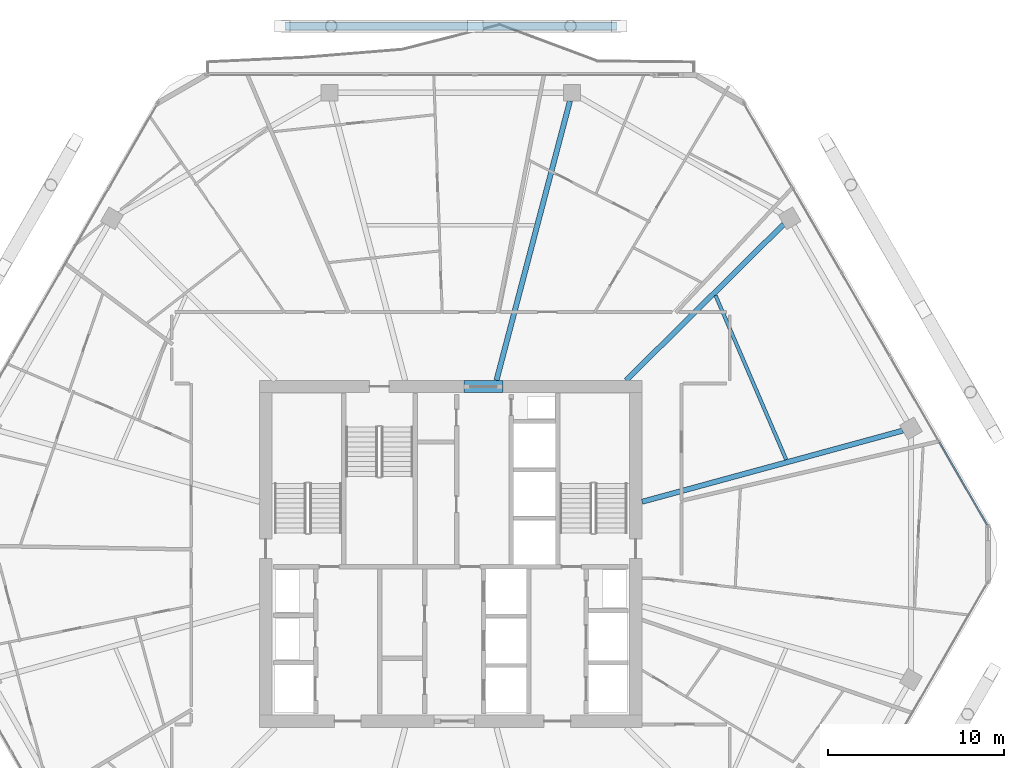
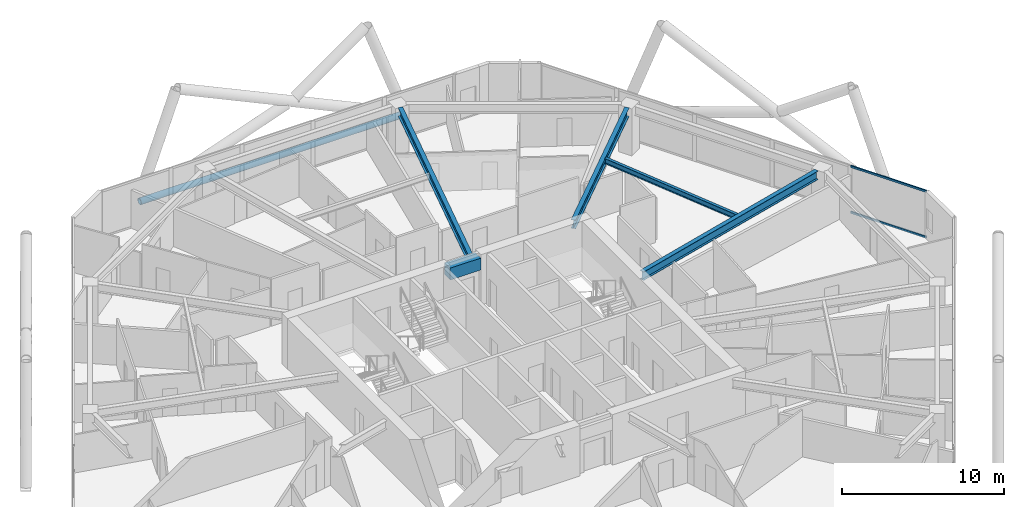
# One storey, part 15 of 28: 5 beams, 3 members, 1 element without a shape of its own.
"""IFC4 building model written with IfcOpenShell, lengths in metres."""

from ifc_helpers import new_model, si_unit, direction, frame, origin, origin_2d, place, context, subcontext, project, spatial, rectangle, hollow_rectangle, hollow_circle, i_section, extrude, material, material_profile, profile_set, type_object, element, aggregate, save


model = new_model("IFC4")

# Units and contexts
model_context = context("Model", 3, precision=1e-05, world=origin(), true_north=direction((0.0, 1.0)))
body_context = subcontext(model_context, "Body", "Model", "MODEL_VIEW")
ifc_project = project(units=[si_unit("LENGTHUNIT", "METRE"), si_unit("AREAUNIT", "SQUARE_METRE"), si_unit("VOLUMEUNIT", "CUBIC_METRE"), si_unit("PLANEANGLEUNIT", "RADIAN"), si_unit("MASSUNIT", "GRAM", prefix="KILO")], contexts=[model_context])

# Site, building, storey
site_placement = place(None, origin())
site = spatial("IfcSite", under=ifc_project, at=site_placement, CompositionType="ELEMENT")
building_placement = place(site_placement, origin())
building = spatial("IfcBuilding", under=site, at=building_placement, Name="Zuhravey Tower", CompositionType="ELEMENT")
storey_placement = place(building_placement, frame((0.0, 0.0, 207.39990234375)))
storey = spatial("IfcBuildingStorey", under=building, at=storey_placement, Name="L52", CompositionType="ELEMENT", Elevation=207.39990234375)

# Beam
ifc_material_1 = material(Name="Concrete C60/75", Category="concrete")
ifc_material_profile_1 = material_profile(ifc_material_1, rectangle(XDim=0.699951171875, YDim=0.89990234375, at=origin_2d()), Name="RC-700x900")
ifc_profile_set_1 = profile_set([ifc_material_profile_1], Name="Concrete C60/75")
beam_type_1 = type_object("IfcBeamType", Name="Core Coupling Beam RC700x900", PredefinedType="LINTEL", material=ifc_profile_set_1)
beam_1_placement = place(storey_placement, frame((36.751953125, 41.5, 3.10009765625), z_axis=(1.0, 0.0, 0.0), x_axis=(0.0, 1.0, 0.0)))
element("IfcBeam", 1, at=beam_1_placement, inside=storey, type_object=beam_type_1, Name="L52 CB1 BM-L52-CB-N", PredefinedType="LINTEL", context=body_context, shape_type="SweptSolid", body=[
    extrude(rectangle(XDim=0.699951171875, YDim=0.89990234375, at=origin_2d()), origin(), (0.0, 0.0, 1.0), 2.196044921875),
])

# Curtain wall, members
ifc_material_2 = material(Name="Thermally broken anodised aluminium", Category="aluminium")
curtain_wall_type = type_object("IfcCurtainWallType", Name="Zone 1-2 Residential Curtain Wall CW3", PredefinedType="NOTDEFINED", material=ifc_material_2)
curtain_wall_placement = place(storey_placement, origin())
curtain_wall = element("IfcCurtainWall", 2, at=curtain_wall_placement, inside=storey, type_object=curtain_wall_type, Name="L52 CW3 CW-L52-F1-1", PredefinedType="NOTDEFINED")
ifc_material_3 = material(Name="Anodised aluminium", Category="aluminium")
ifc_material_profile_2 = material_profile(ifc_material_3, hollow_rectangle(XDim=0.090087890625, YDim=0.14990234375, WallThickness=0.0048828125, at=origin_2d()), Name="ALU-RHS-90x150x5")
ifc_profile_set_2 = profile_set([ifc_material_profile_2], Name="Anodised aluminium")
member_type_1 = type_object("IfcMemberType", Name="Curtain-Wall Transom 90x150", PredefinedType="USERDEFINED", material=ifc_profile_set_2)
member_1_placement = place(storey_placement, frame((63.72216796875, 38.35009765625, 0.045166015625), z_axis=(0.499993332629, -0.866029253159, 0.0), x_axis=(0.866029253159, 0.499993332629, 0.0)))
member_1 = element("IfcMember", 3, at=member_1_placement, type_object=member_type_1, Name="CW3 transom 5.1", ObjectType="TRANSOM", PredefinedType="USERDEFINED", context=body_context, shape_type="SweptSolid", body=[
    extrude(hollow_rectangle(XDim=0.090087890625, YDim=0.14990234375, WallThickness=0.0048828125, at=origin_2d()), origin(), (0.0, 0.0, 1.0), 5.4091796875),
])
member_2_placement = place(storey_placement, frame((63.72216796875, 38.35009765625, 3.505126953125), z_axis=(0.499993332629, -0.866029253159, 0.0), x_axis=(0.866029253159, 0.499993332629, 0.0)))
member_2 = element("IfcMember", 4, at=member_2_placement, type_object=member_type_1, Name="CW3 transom 5.2", ObjectType="TRANSOM", PredefinedType="USERDEFINED", context=body_context, shape_type="SweptSolid", body=[
    extrude(hollow_rectangle(XDim=0.090087890625, YDim=0.14990234375, WallThickness=0.0048828125, at=origin_2d()), origin(), (0.0, 0.0, 1.0), 5.4091796875),
])
aggregate(curtain_wall, [member_1, member_2])

# Member
ifc_material_4 = material(Name="Steel SM355", Category="steel")
ifc_material_profile_3 = material_profile(ifc_material_4, hollow_circle(Radius=0.228515625, WallThickness=0.02197265625, at=origin_2d()), Name="CHS-457.2x22")
ifc_profile_set_3 = profile_set([ifc_material_profile_3], Name="Steel SM355")
member_type_2 = type_object("IfcMemberType", Name="Exoskeleton Ring Tie CHS457x22", PredefinedType="CHORD", material=ifc_profile_set_3)
member_3_placement = place(storey_placement, frame((45.4150390625, 61.943115234375, -0.4638671875), z_axis=(-1.0, 0.0, 0.0), x_axis=(0.0, -1.0, 0.0)))
element("IfcMember", 5, at=member_3_placement, inside=storey, type_object=member_type_2, Name="L52 Exoskeleton Face 2 Tie EXR1", PredefinedType="CHORD", context=body_context, shape_type="SweptSolid", body=[
    extrude(hollow_circle(Radius=0.228515625, WallThickness=0.02197265625, at=origin_2d()), origin(), (0.0, 0.0, 1.0), 18.830078125),
])

# Beams
ifc_material_profile_4 = material_profile(ifc_material_4, i_section(OverallWidth=0.300048828125, OverallDepth=0.64990234375, WebThickness=0.012939453125, FlangeThickness=0.02197265625, at=origin_2d()), Name="H-650x300x13x22")
ifc_profile_set_4 = profile_set([ifc_material_profile_4], Name="Steel SM355")
beam_type_2 = type_object("IfcBeamType", Name="Radial Primary Girder H650x300", PredefinedType="BEAM", material=ifc_profile_set_4)
beam_2_placement = place(storey_placement, frame((46.85302734375, 34.96240234375, 3.22509765625), z_axis=(0.964701703464, 0.263345065139, 0.0), x_axis=(-0.263345065139, 0.964701703464, 0.0)))
element("IfcBeam", 6, at=beam_2_placement, inside=storey, type_object=beam_type_2, Name="L52 RG2 BM-L52-RAD-01", PredefinedType="BEAM", context=body_context, shape_type="SweptSolid", body=[
    extrude(i_section(OverallWidth=0.300048828125, OverallDepth=0.64990234375, WebThickness=0.012939453125, FlangeThickness=0.02197265625, at=origin_2d()), origin(), (0.0, 0.0, 1.0), 15.334716796875),
])
beam_3_placement = place(storey_placement, frame((45.945556640625, 41.85302734375, 3.22509765625), z_axis=(0.710406645816, 0.703791444663, 0.0), x_axis=(-0.703791444663, 0.710406645816, 0.0)))
element("IfcBeam", 7, at=beam_3_placement, inside=storey, type_object=beam_type_2, Name="L52 RG2 BM-L52-RAD-02", PredefinedType="BEAM", context=body_context, shape_type="SweptSolid", body=[
    extrude(i_section(OverallWidth=0.300048828125, OverallDepth=0.64990234375, WebThickness=0.012939453125, FlangeThickness=0.02197265625, at=origin_2d()), origin(), (0.0, 0.0, 1.0), 12.5849609375),
])
beam_4_placement = place(storey_placement, frame((38.5908203125, 41.85302734375, 3.22509765625), z_axis=(0.254299806285, 0.967125435775, 0.0), x_axis=(-0.967125435775, 0.254299806285, 0.0)))
element("IfcBeam", 8, at=beam_4_placement, inside=storey, type_object=beam_type_2, Name="L52 RG2 BM-L52-RAD-03", PredefinedType="BEAM", context=body_context, shape_type="SweptSolid", body=[
    extrude(i_section(OverallWidth=0.300048828125, OverallDepth=0.64990234375, WebThickness=0.012939453125, FlangeThickness=0.02197265625, at=origin_2d()), origin(), (0.0, 0.0, 1.0), 16.396728515625),
])
ifc_material_profile_5 = material_profile(ifc_material_4, i_section(OverallWidth=0.199951171875, OverallDepth=0.39990234375, WebThickness=0.008056640625, FlangeThickness=0.012939453125, at=origin_2d()), Name="H-400x200x8x13")
ifc_profile_set_5 = profile_set([ifc_material_profile_5], Name="Steel SM355")
beam_type_3 = type_object("IfcBeamType", Name="Secondary Floor Joist H400x200", PredefinedType="JOIST", material=ifc_profile_set_5)
beam_5_placement = place(storey_placement, frame((55.029541015625, 37.3525390625, 3.35009765625), z_axis=(-0.395265853487, 0.918566766799, 0.0), x_axis=(-0.918566766799, -0.395265853487, 0.0)))
element("IfcBeam", 9, at=beam_5_placement, inside=storey, type_object=beam_type_3, Name="L52 SJ2 BM-L52-SJ-01-1", PredefinedType="JOIST", context=body_context, shape_type="SweptSolid", body=[
    extrude(i_section(OverallWidth=0.199951171875, OverallDepth=0.39990234375, WebThickness=0.008056640625, FlangeThickness=0.012939453125, at=origin_2d()), origin(), (0.0, 0.0, 1.0), 10.150146484375),
])

save(model, "model.ifc")
